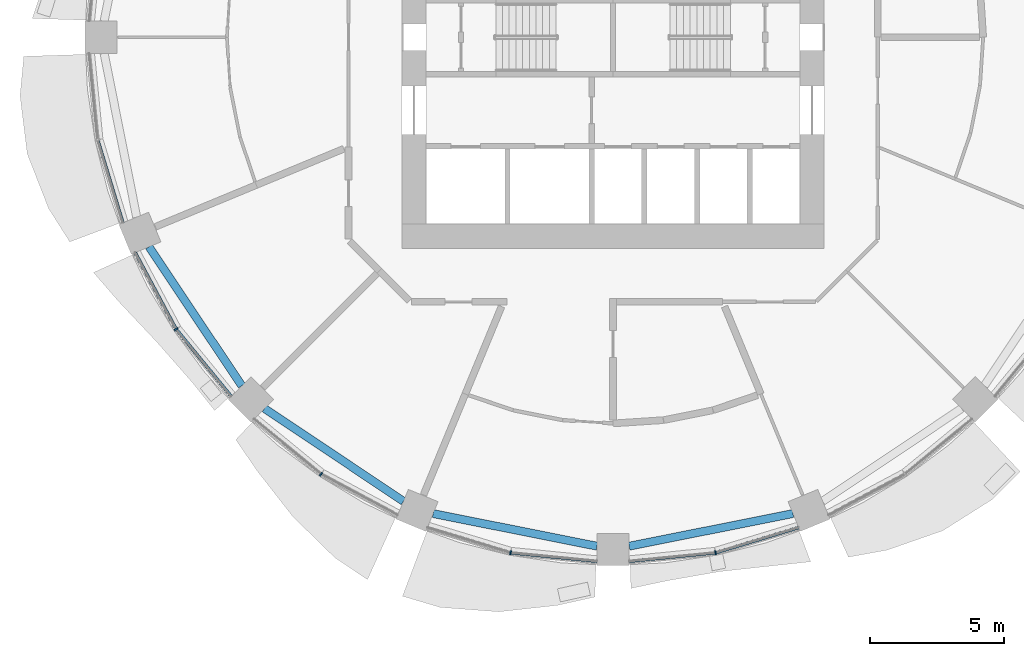
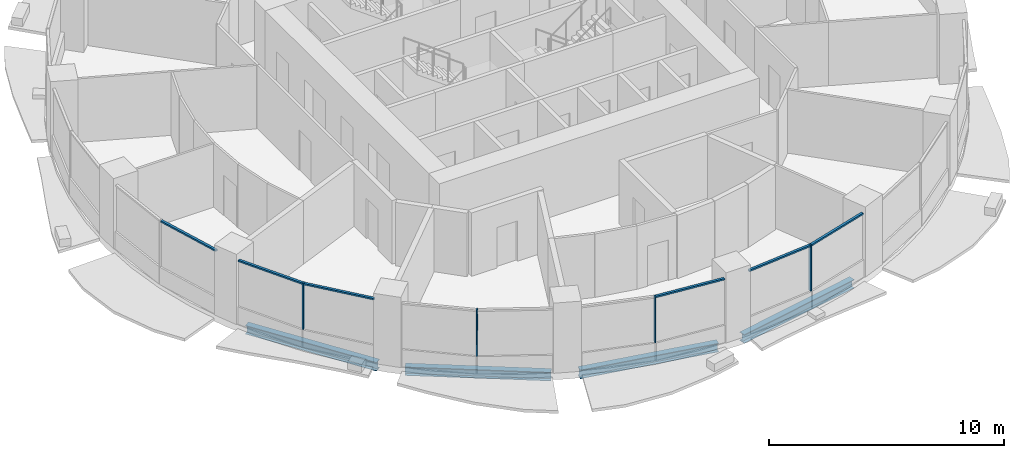
# One storey, part 2 of 15: 10 members, 4 beams, 5 elements without a shape of their own.
"""IFC4 building model written with IfcOpenShell, lengths in metres."""

import ifcopenshell
import ifcopenshell.guid

model = None  # the IFC model being written
_history = None  # IfcOwnerHistory: only IFC2X3 demands one
_inside = {}  # id of a spatial element -> (the spatial element, [elements in it])
_under = {}  # id of a project, library or spatial element -> (it, [spatial elements below it])
_declared = {}  # id of a project -> (the project, [libraries it declares])
_typed = {}  # id of a type object -> (the type object, [elements of that type])
_made_of = {}  # id of a material, layer set ... -> (it, [elements and type objects made of it])


def new_model(schema):
    """Start an empty IFC model of exactly this schema.

    Asked for "IFC4X3", IfcOpenShell would pick the latest addendum, in which some entities
    have other attributes; the version numbers below select the first issue.
    IFC2X3 requires an IfcOwnerHistory on every rooted entity: one is made here for all.
    """
    global model, _history
    if schema == "IFC4X3":
        model = ifcopenshell.file(schema_version=(4, 3, 0, 0))
    else:
        model = ifcopenshell.file(schema=schema)
    _inside.clear()
    _under.clear()
    _declared.clear()
    _typed.clear()
    _made_of.clear()
    _history = None
    if model.schema == "IFC2X3":
        org = make("IfcOrganization", Name="unknown")
        user = make(
            "IfcPersonAndOrganization",
            ThePerson=make("IfcPerson", FamilyName="unknown"),
            TheOrganization=org,
        )
        app = make(
            "IfcApplication",
            ApplicationDeveloper=org,
            Version="unknown",
            ApplicationFullName="unknown",
            ApplicationIdentifier="unknown",
        )
        _history = make(
            "IfcOwnerHistory",
            OwningUser=user,
            OwningApplication=app,
            ChangeAction="ADDED",
            CreationDate=0,
        )
    return model


def make(cls, **values):
    """One entity of the class cls with the attributes given. An attribute that is None is left unset."""
    return model.create_entity(
        cls, **{name: value for name, value in values.items() if value is not None}
    )


def rooted(cls, **values):
    """An entity with a GlobalId (a new one), such as an element, a storey or a relation."""
    return make(cls, GlobalId=ifcopenshell.guid.new(), OwnerHistory=_history, **values)


def si_unit(unit_type, name, prefix=None):
    """IfcSIUnit, for example si_unit("LENGTHUNIT", "METRE", prefix="MILLI")."""
    return make("IfcSIUnit", UnitType=unit_type, Prefix=prefix, Name=name)


def assignment(units):
    """IfcUnitAssignment: the units of a project."""
    return None if units is None else make("IfcUnitAssignment", Units=units)


def point(xyz):
    """IfcCartesianPoint."""
    return None if xyz is None else make("IfcCartesianPoint", Coordinates=xyz)


def direction(xyz):
    """IfcDirection."""
    return None if xyz is None else make("IfcDirection", DirectionRatios=xyz)


def frame(location, z_axis=None, x_axis=None):
    """IfcAxis2Placement3D, a coordinate frame: its origin and axes. An axis left out is left unset."""
    return make(
        "IfcAxis2Placement3D",
        Location=point(location),
        Axis=direction(z_axis),
        RefDirection=direction(x_axis),
    )


def frame_2d(location, x_axis=None):
    """IfcAxis2Placement2D, a coordinate frame in the plane: its origin and x axis."""
    return make(
        "IfcAxis2Placement2D", Location=point(location), RefDirection=direction(x_axis)
    )


def origin():
    """The frame at (0, 0, 0) with its axes left unset."""
    return frame((0.0, 0.0, 0.0))


def origin_2d():
    """The frame at (0, 0) in the plane with its x axis left unset."""
    return frame_2d((0.0, 0.0))


def place(relative_to, where):
    """IfcLocalPlacement: puts the frame where relative to a parent placement (None: the world)."""
    return make(
        "IfcLocalPlacement", PlacementRelTo=relative_to, RelativePlacement=where
    )


def context(
    kind, dimensions, precision=None, world=None, true_north=None, identifier=None
):
    """IfcGeometricRepresentationContext, for example the 3D "Model" context."""
    return make(
        "IfcGeometricRepresentationContext",
        ContextIdentifier=identifier,
        ContextType=kind,
        CoordinateSpaceDimension=dimensions,
        Precision=precision,
        WorldCoordinateSystem=world,
        TrueNorth=true_north,
    )


def subcontext(parent, identifier, kind, view, scale=None):
    """IfcGeometricRepresentationSubContext, for example "Body" below "Model"."""
    return make(
        "IfcGeometricRepresentationSubContext",
        ContextIdentifier=identifier,
        ContextType=kind,
        ParentContext=parent,
        TargetScale=scale,
        TargetView=view,
    )


def project(units=None, contexts=None):
    """IfcProject with its units and contexts."""
    return rooted(
        "IfcProject",
        Name="project",
        RepresentationContexts=contexts,
        UnitsInContext=assignment(units),
    )


def spatial(cls, under=None, at=None, **own):
    """A site, building, storey or space (cls), placed at a placement, below another one or the project."""
    s = rooted(cls, ObjectPlacement=at, **own)
    if under is not None:
        _under.setdefault(under.id(), (under, []))[1].append(s)
    return s


def profile(cls, at=None, kind="AREA", **sizes):
    """A parametric profile (cls). Its sizes go by their IFC names, for example OverallWidth=200.0."""
    return make(cls, ProfileType=kind, Position=at, **sizes)


def rectangle(**sizes):
    """IfcRectangleProfileDef."""
    return profile("IfcRectangleProfileDef", **sizes)


def i_section(**sizes):
    """IfcIShapeProfileDef."""
    return profile("IfcIShapeProfileDef", **sizes)


def extrude(swept, where, along, depth):
    """IfcExtrudedAreaSolid: the profile swept, set in the frame where, extruded along a direction by depth."""
    return make(
        "IfcExtrudedAreaSolid",
        SweptArea=swept,
        Position=where,
        ExtrudedDirection=direction(along),
        Depth=depth,
    )


def shape(context_of_items, identifier, shape_type, items):
    """IfcShapeRepresentation: the items that make up one representation, for example the "Body"."""
    return make(
        "IfcShapeRepresentation",
        ContextOfItems=context_of_items,
        RepresentationIdentifier=identifier,
        RepresentationType=shape_type,
        Items=items,
    )


def material(Name=None, Category=None):
    """IfcMaterial."""
    return make("IfcMaterial", Name=Name, Category=Category)


def material_profile(
    of_material, cross_section, Name=None, Category=None, Priority=None
):
    """IfcMaterialProfile: a cross section and its material."""
    return make(
        "IfcMaterialProfile",
        Name=Name,
        Material=of_material,
        Profile=cross_section,
        Priority=Priority,
        Category=Category,
    )


def profile_set(profiles, Name=None, composite=None):
    """IfcMaterialProfileSet."""
    return make(
        "IfcMaterialProfileSet",
        Name=Name,
        MaterialProfiles=profiles,
        CompositeProfile=composite,
    )


def made_of(thing, what):
    """Note that an element or type object is made of a material, layer set ...; save() writes the relation."""
    if what is not None:
        _made_of.setdefault(what.id(), (what, []))[1].append(thing)
    return thing


def type_object(cls, material=None, **own):
    """A type object (cls), such as IfcWallType, which elements share."""
    return made_of(rooted(cls, **own), material)


def element(
    cls,
    number,
    at=None,
    inside=None,
    cuts=None,
    type_object=None,
    material=None,
    context=None,
    identifier="Body",
    shape_type=None,
    held_by="IfcProductDefinitionShape",
    body=None,
    shapes=None,
    **own,
):
    """One element of the class cls, such as IfcWall. Its Tag is "e" and its number.

    at: its placement. inside: the storey or other place that contains it. cuts: it is an
    opening in that element (IfcRelVoidsElement). A single representation is given by context,
    identifier, shape_type and body (its items); several are given by shapes. held_by: the class
    of the entity that holds the representations. save() writes the other relations.
    """
    e = rooted(cls, Tag="e%d" % number, ObjectPlacement=at, **own)
    if body is not None:
        shapes = [shape(context, identifier, shape_type, body)]
    if shapes is not None:
        e.Representation = make(held_by, Representations=shapes)
    if inside is not None:
        _inside.setdefault(inside.id(), (inside, []))[1].append(e)
    if cuts is not None:
        rooted(
            "IfcRelVoidsElement", RelatingBuildingElement=cuts, RelatedOpeningElement=e
        )
    if type_object is not None:
        _typed.setdefault(type_object.id(), (type_object, []))[1].append(e)
    return made_of(e, material)


def aggregate(whole, parts):
    """IfcRelAggregates: a whole, such as a stair, and the parts it consists of."""
    return rooted("IfcRelAggregates", RelatingObject=whole, RelatedObjects=parts)


def save(model, path):
    """Write the relations noted so far, then the file.

    IfcRelAggregates (storeys below a building ...), IfcRelContainedInSpatialStructure (elements
    in a storey), IfcRelDefinesByType, IfcRelAssociatesMaterial and IfcRelDeclares: one each for
    every whole, place, type object, material and project.
    """
    for whole, parts in _under.values():
        aggregate(whole, parts)
    for where, things in _inside.values():
        rooted(
            "IfcRelContainedInSpatialStructure",
            RelatedElements=things,
            RelatingStructure=where,
        )
    for kind, things in _typed.values():
        rooted("IfcRelDefinesByType", RelatedObjects=things, RelatingType=kind)
    for what, things in _made_of.values():
        rooted("IfcRelAssociatesMaterial", RelatedObjects=things, RelatingMaterial=what)
    for by, libraries in _declared.values():
        rooted("IfcRelDeclares", RelatingContext=by, RelatedDefinitions=libraries)
    model.write(path)


model = new_model("IFC4")

# Units and contexts
model_context = context("Model", 3, precision=1e-05, world=origin(), true_north=direction((0.0, 1.0)))
body_context = subcontext(model_context, "Body", "Model", "MODEL_VIEW")
ifc_project = project(units=[si_unit("LENGTHUNIT", "METRE"), si_unit("AREAUNIT", "SQUARE_METRE"), si_unit("VOLUMEUNIT", "CUBIC_METRE"), si_unit("PLANEANGLEUNIT", "RADIAN"), si_unit("MASSUNIT", "GRAM", prefix="KILO")], contexts=[model_context])

# Site, building, storey
site_placement = place(None, origin())
site = spatial("IfcSite", under=ifc_project, at=site_placement, CompositionType="ELEMENT")
building_placement = place(site_placement, origin())
building = spatial("IfcBuilding", under=site, at=building_placement, Name="Polderwave Tower", CompositionType="ELEMENT")
storey_placement = place(building_placement, frame((0.0, 0.0, 44.449951171875)))
storey = spatial("IfcBuildingStorey", under=building, at=storey_placement, Name="L11", CompositionType="ELEMENT", Elevation=44.449951171875)

# Curtain wall, member
ifc_material_1 = material(Name="Aluminium 6063-T6 and glass", Category="aluminium")
curtain_wall_type = type_object("IfcCurtainWallType", Name="Growing floor ribbon glazing wall", PredefinedType="NOTDEFINED", material=ifc_material_1)
curtain_wall_1_placement = place(storey_placement, origin())
curtain_wall_1 = element("IfcCurtainWall", 1, at=curtain_wall_1_placement, inside=storey, type_object=curtain_wall_type, Name="CW2 L11 09", PredefinedType="NOTDEFINED")
ifc_material_2 = material(Name="Aluminium 6063-T6", Category="aluminium")
ifc_material_profile_1 = material_profile(ifc_material_2, rectangle(XDim=0.14990234375, YDim=0.06005859375, at=origin_2d()), Name="AL 60x150")
ifc_profile_set_1 = profile_set([ifc_material_profile_1], Name="Aluminium 6063-T6")
member_type_1 = type_object("IfcMemberType", Name="Growing floor ribbon glazing mullion 60x150", PredefinedType="MULLION", material=ifc_profile_set_1)
member_1_placement = place(storey_placement, frame((-16.304931640625, -10.89501953125, 0.900146484375), z_axis=(0.0, 0.0, 1.0), x_axis=(0.831468642648, 0.555571684207, 0.0)))
member_1 = element("IfcMember", 2, at=member_1_placement, type_object=member_type_1, Name="CW2 mullion 1", PredefinedType="MULLION", context=body_context, shape_type="SweptSolid", body=[
    extrude(rectangle(XDim=0.14990234375, YDim=0.06005859375, at=origin_2d()), origin(), (0.0, 0.0, 1.0), 2.39990234375),
])

curtain_wall_2_placement = place(storey_placement, origin())
curtain_wall_2 = element("IfcCurtainWall", 3, at=curtain_wall_2_placement, inside=storey, type_object=curtain_wall_type, Name="CW2 L11 10", PredefinedType="NOTDEFINED")
member_2_placement = place(storey_placement, frame((-10.89501953125, -16.304931640625, 0.900146484375), z_axis=(0.0, 0.0, 1.0), x_axis=(0.555571684207, 0.831468642648, 0.0)))
member_2 = element("IfcMember", 4, at=member_2_placement, type_object=member_type_1, Name="CW2 mullion 1", PredefinedType="MULLION", context=body_context, shape_type="SweptSolid", body=[
    extrude(rectangle(XDim=0.14990234375, YDim=0.06005859375, at=origin_2d()), origin(), (0.0, 0.0, 1.0), 2.39990234375),
])
aggregate(curtain_wall_2, [member_2])

curtain_wall_3_placement = place(storey_placement, origin())
curtain_wall_3 = element("IfcCurtainWall", 5, at=curtain_wall_3_placement, inside=storey, type_object=curtain_wall_type, Name="CW2 L11 11", PredefinedType="NOTDEFINED")
member_3_placement = place(storey_placement, frame((-3.825927734375, -19.23291015625, 0.900146484375), z_axis=(0.0, 0.0, 1.0), x_axis=(0.195177622698, 0.980767911179, 0.0)))
member_3 = element("IfcMember", 6, at=member_3_placement, type_object=member_type_1, Name="CW2 mullion 1", PredefinedType="MULLION", context=body_context, shape_type="SweptSolid", body=[
    extrude(rectangle(XDim=0.14990234375, YDim=0.06005859375, at=origin_2d()), origin(), (0.0, 0.0, 1.0), 2.39990234375),
])

curtain_wall_4_placement = place(storey_placement, origin())
curtain_wall_4 = element("IfcCurtainWall", 7, at=curtain_wall_4_placement, inside=storey, type_object=curtain_wall_type, Name="CW2 L11 12", PredefinedType="NOTDEFINED")
member_4_placement = place(storey_placement, frame((3.825927734375, -19.23291015625, 0.900146484375), z_axis=(0.0, 0.0, 1.0), x_axis=(-0.195177622698, 0.980767911179, 0.0)))
member_4 = element("IfcMember", 8, at=member_4_placement, type_object=member_type_1, Name="CW2 mullion 1", PredefinedType="MULLION", context=body_context, shape_type="SweptSolid", body=[
    extrude(rectangle(XDim=0.14990234375, YDim=0.06005859375, at=origin_2d()), origin(), (0.0, 0.0, 1.0), 2.39990234375),
])

curtain_wall_5_placement = place(storey_placement, origin())
curtain_wall_5 = element("IfcCurtainWall", 9, at=curtain_wall_5_placement, inside=storey, type_object=curtain_wall_type, Name="CW2 L11 08", PredefinedType="NOTDEFINED")
ifc_material_profile_2 = material_profile(ifc_material_2, rectangle(XDim=0.1201171875, YDim=0.080078125, at=origin_2d()), Name="AL 80x120")
ifc_profile_set_2 = profile_set([ifc_material_profile_2], Name="Aluminium 6063-T6")
member_type_2 = type_object("IfcMemberType", Name="Growing floor ribbon glazing transom 80x120", PredefinedType="USERDEFINED", material=ifc_profile_set_2)
member_5_placement = place(storey_placement, frame((-19.224365234375, -3.854736328125, 3.260009765625), z_axis=(0.290402031143, -0.956904728961, 0.0), x_axis=(0.956904728961, 0.290402031143, 0.0)))
member_5 = element("IfcMember", 10, at=member_5_placement, type_object=member_type_2, Name="CW2 transom 2", ObjectType="TRANSOM", PredefinedType="USERDEFINED", context=body_context, shape_type="SweptSolid", body=[
    extrude(rectangle(XDim=0.1201171875, YDim=0.080078125, at=origin_2d()), origin(), (0.0, 0.0, 1.0), 3.210693359375),
])
aggregate(curtain_wall_5, [member_5])

# Member
member_6_placement = place(storey_placement, frame((-17.8330078125, -8.035888671875, 3.260009765625), z_axis=(0.471373193578, -0.881933848072, 0.0), x_axis=(0.881933848072, 0.471373193578, 0.0)))
member_6 = element("IfcMember", 11, at=member_6_placement, type_object=member_type_2, Name="CW2 transom 1", ObjectType="TRANSOM", PredefinedType="USERDEFINED", context=body_context, shape_type="SweptSolid", body=[
    extrude(rectangle(XDim=0.1201171875, YDim=0.080078125, at=origin_2d()), origin(), (0.0, 0.0, 1.0), 3.211669921875),
])

member_7_placement = place(storey_placement, frame((-16.285888671875, -10.918212890625, 3.260009765625), z_axis=(0.634429639074, -0.772980616228, 0.0), x_axis=(0.772980616228, 0.634429639074, 0.0)))
member_7 = element("IfcMember", 12, at=member_7_placement, type_object=member_type_2, Name="CW2 transom 2", ObjectType="TRANSOM", PredefinedType="USERDEFINED", context=body_context, shape_type="SweptSolid", body=[
    extrude(rectangle(XDim=0.1201171875, YDim=0.080078125, at=origin_2d()), origin(), (0.0, 0.0, 1.0), 3.21044921875),
])

aggregate(curtain_wall_1, [member_1, member_6, member_7])

member_8_placement = place(storey_placement, frame((-3.796142578125, -19.23583984375, 3.260009765625), z_axis=(0.99517249074, -0.098141294442, 0.0), x_axis=(0.098141294442, 0.99517249074, 0.0)))
member_8 = element("IfcMember", 13, at=member_8_placement, type_object=member_type_2, Name="CW2 transom 2", ObjectType="TRANSOM", PredefinedType="USERDEFINED", context=body_context, shape_type="SweptSolid", body=[
    extrude(rectangle(XDim=0.1201171875, YDim=0.080078125, at=origin_2d()), origin(), (0.0, 0.0, 1.0), 3.211669921875),
])

aggregate(curtain_wall_3, [member_3, member_8])

member_9_placement = place(storey_placement, frame((0.60009765625, -19.551025390625, 3.260009765625), z_axis=(0.99517249074, 0.098141294442, 0.0), x_axis=(-0.098141294442, 0.99517249074, 0.0)))
member_9 = element("IfcMember", 14, at=member_9_placement, type_object=member_type_2, Name="CW2 transom 1", ObjectType="TRANSOM", PredefinedType="USERDEFINED", context=body_context, shape_type="SweptSolid", body=[
    extrude(rectangle(XDim=0.1201171875, YDim=0.080078125, at=origin_2d()), origin(), (0.0, 0.0, 1.0), 3.211669921875),
])

member_10_placement = place(storey_placement, frame((3.854736328125, -19.224365234375, 3.260009765625), z_axis=(0.956904728961, 0.290402031143, 0.0), x_axis=(-0.290402031143, 0.956904728961, 0.0)))
member_10 = element("IfcMember", 15, at=member_10_placement, type_object=member_type_2, Name="CW2 transom 2", ObjectType="TRANSOM", PredefinedType="USERDEFINED", context=body_context, shape_type="SweptSolid", body=[
    extrude(rectangle(XDim=0.1201171875, YDim=0.080078125, at=origin_2d()), origin(), (0.0, 0.0, 1.0), 3.210693359375),
])

aggregate(curtain_wall_4, [member_4, member_9, member_10])

# Beams
ifc_material_3 = material(Name="Steel S355", Category="steel")
ifc_material_profile_3 = material_profile(ifc_material_3, i_section(OverallWidth=0.300048828125, OverallDepth=0.449951171875, WebThickness=0.013916015625, FlangeThickness=0.02587890625, at=origin_2d()), Name="HE 450 B")
ifc_profile_set_3 = profile_set([ifc_material_profile_3], Name="Steel S355")
beam_type = type_object("IfcBeamType", Name="RING BEAM HE 450 B", PredefinedType="BEAM", material=ifc_profile_set_3)
for number, where, z_axis, x_axis, name in (
    (16, (-17.3154296875, -7.82177734375, -0.574951171875), (0.555558644, -0.831477355721, 0.0), (0.831477355721, 0.555558644, 0.0), "ST-RB-L11-09"),
    (17, (-13.004150390625, -13.852783203125, -0.574951171875), (0.831477355721, -0.555558644, 0.0), (0.555558644, 0.831477355721, 0.0), "ST-RB-L11-10"),
):
    element("IfcBeam", number, at=place(storey_placement, frame(where, z_axis=z_axis, x_axis=x_axis)), inside=storey, type_object=beam_type, Name=name, PredefinedType="BEAM", context=body_context, shape_type="SweptSolid", body=[
        extrude(i_section(OverallWidth=0.300048828125, OverallDepth=0.449951171875, WebThickness=0.013916015625, FlangeThickness=0.02587890625, at=origin_2d()), origin(), (0.0, 0.0, 1.0), 6.232666015625),
    ])
for number, where, z_axis, x_axis, name in (
    (18, (-6.713134765625, -17.774658203125, -0.574951171875), (0.980782033233, -0.195106645934, 0.0), (0.195106645934, 0.980782033233, 0.0), "ST-RB-L11-11"),
    (19, (0.60009765625, -18.99072265625, -0.574951171875), (0.980782033233, 0.195106645934, 0.0), (-0.195106645934, 0.980782033233, 0.0), "ST-RB-L11-12"),
):
    element("IfcBeam", number, at=place(storey_placement, frame(where, z_axis=z_axis, x_axis=x_axis)), inside=storey, type_object=beam_type, Name=name, PredefinedType="BEAM", context=body_context, shape_type="SweptSolid", body=[
        extrude(i_section(OverallWidth=0.300048828125, OverallDepth=0.449951171875, WebThickness=0.013916015625, FlangeThickness=0.02587890625, at=origin_2d()), origin(), (0.0, 0.0, 1.0), 6.23291015625),
    ])

save(model, "model.ifc")
